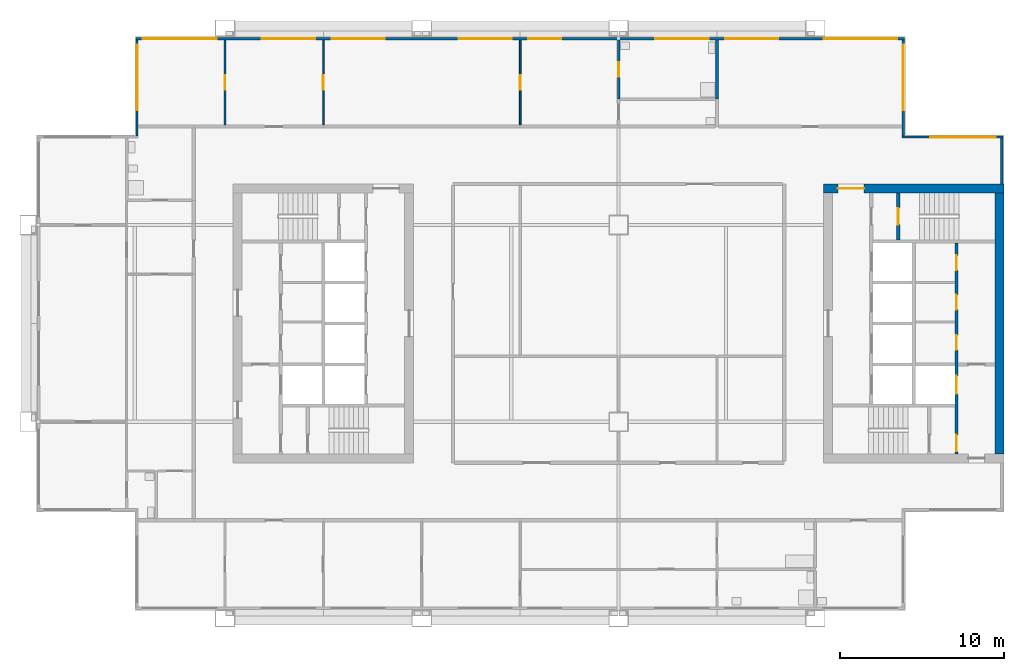
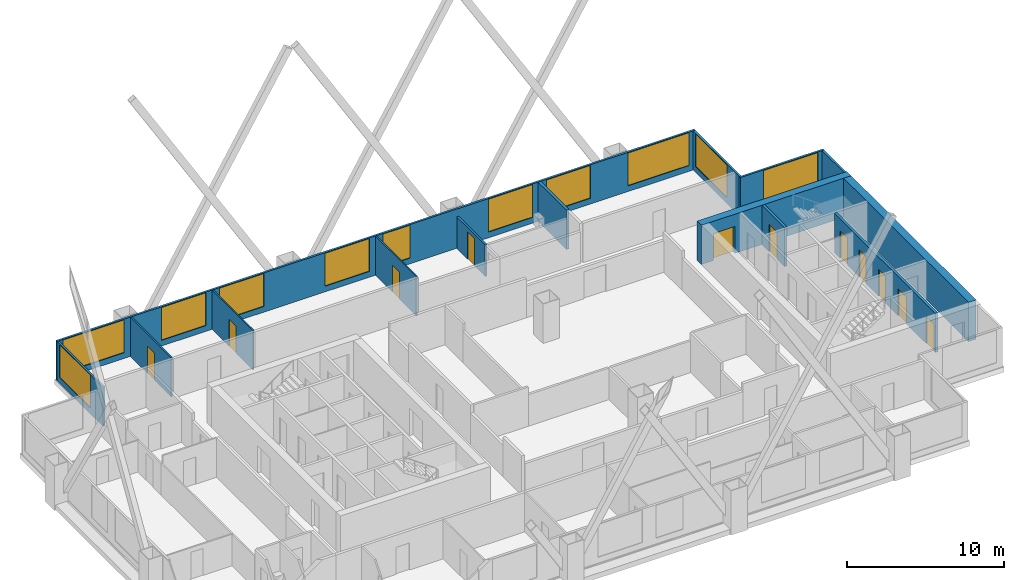
# One storey, part 6 of 9: 14 walls, 11 doors, 11 windows, 22 openings.
"""IFC4 building model written with IfcOpenShell, lengths in metres."""

from ifc_helpers import new_model, si_unit, direction, frame, frame_2d, origin, place, context, subcontext, project, spatial, rectangle, extrude, material, layer, layer_set, type_object, element, fill, save


model = new_model("IFC4")

# Units and contexts
model_context = context("Model", 3, precision=1e-05, world=origin(), true_north=direction((0.0, 1.0)))
body_context = subcontext(model_context, "Body", "Model", "MODEL_VIEW")
ifc_project = project(units=[si_unit("LENGTHUNIT", "METRE"), si_unit("AREAUNIT", "SQUARE_METRE"), si_unit("VOLUMEUNIT", "CUBIC_METRE"), si_unit("PLANEANGLEUNIT", "RADIAN"), si_unit("MASSUNIT", "GRAM", prefix="KILO")], contexts=[model_context])

# Site, building, storey
site_placement = place(None, origin())
site = spatial("IfcSite", under=ifc_project, at=site_placement, CompositionType="ELEMENT")
building_placement = place(site_placement, origin())
building = spatial("IfcBuilding", under=site, at=building_placement, Name="Kitamizu Gate Tower and Museum", CompositionType="ELEMENT")
storey_placement = place(building_placement, frame((0.0, 0.0, 192.75)))
storey = spatial("IfcBuildingStorey", under=building, at=storey_placement, Name="L51", CompositionType="ELEMENT", Elevation=192.75)

# Wall, opening, door
ifc_material_1 = material(Name="Concrete Fc42", Category="concrete")
ifc_layer_1 = layer(ifc_material_1, 0.550048828125)
ifc_layer_set_1 = layer_set([ifc_layer_1], Name="Concrete Fc42")
wall_type_1 = type_object("IfcWallType", Name="Core wall 550", PredefinedType="SHEAR", material=ifc_layer_set_1)
wall_1_placement = place(storey_placement, frame((59.5, 38.22509765625, 0.0), z_axis=(0.0, 0.0, 1.0), x_axis=(-1.0, 0.0, 0.0)))
wall_1 = element("IfcWall", 1, at=wall_1_placement, inside=storey, type_object=wall_type_1, Name="Core wall EN", PredefinedType="SHEAR", context=body_context, shape_type="SweptSolid", body=[
    extrude(rectangle(XDim=11.0, YDim=0.550048828125, at=frame_2d((5.5, 0.0))), origin(), (0.0, 0.0, 1.0), 3.050048828125),
])
opening_1_placement = place(wall_1_placement, frame((8.52490234375, 0.0, 0.0)))
opening_1 = element("IfcOpeningElement", 2, at=opening_1_placement, cuts=wall_1, Name="Opening L51-048", PredefinedType="OPENING", context=body_context, shape_type="SweptSolid", body=[
    extrude(rectangle(XDim=1.60009765625, YDim=2.10009765625, at=frame_2d((0.800048828125, 1.050048828125))), frame((0.0, 0.28515625, 0.0), z_axis=(0.0, -1.0, 0.0), x_axis=(1.0, 0.0, 0.0)), (0.0, 0.0, 1.0), 0.570068359375),
])
ifc_material_2 = material(Name="Timber door set", Category="wood")
door_type_1 = type_object("IfcDoorType", Name="Entrance door 1600", OperationType="DOUBLE_DOOR_SINGLE_SWING", PredefinedType="DOOR", material=ifc_material_2)
door_1_placement = place(opening_1_placement, origin())
door_1 = element("IfcDoor", 3, at=door_1_placement, inside=storey, type_object=door_type_1, Name="Lobby door L51-048", OperationType="DOUBLE_DOOR_SINGLE_SWING", OverallHeight=2.10009765625, OverallWidth=1.60009765625, PredefinedType="DOOR", context=body_context, shape_type="SweptSolid", body=[
    extrude(rectangle(XDim=1.60009765625, YDim=2.10009765625, at=frame_2d((0.800048828125, 1.050048828125))), frame((0.0, 0.02490234375, 0.0), z_axis=(0.0, -1.0, 0.0), x_axis=(1.0, 0.0, 0.0)), (0.0, 0.0, 1.0), 0.050048828125),
])
fill(opening_1, door_1)

# Wall
wall_2_placement = place(storey_placement, frame((59.22509765625, 22.050048828125, 0.0), z_axis=(0.0, 0.0, 1.0), x_axis=(0.0, 1.0, 0.0)))
element("IfcWall", 4, at=wall_2_placement, inside=storey, type_object=wall_type_1, Name="Core wall EOUT", PredefinedType="SHEAR", context=body_context, shape_type="SweptSolid", body=[
    extrude(rectangle(XDim=15.89990234375, YDim=0.550048828125, at=frame_2d((7.949951171875, 0.0))), origin(), (0.0, 0.0, 1.0), 3.050048828125),
])

# Wall, opening, door
ifc_material_3 = material(Name="Gypsum board on galvanised stud")
ifc_layer_2 = layer(ifc_material_3, 0.10009765625)
ifc_layer_set_2 = layer_set([ifc_layer_2], Name="Gypsum board on galvanised stud")
wall_type_2 = type_object("IfcWallType", Name="Partition 100 NOT RATED", PredefinedType="PARTITIONING", material=ifc_layer_set_2)
wall_3_placement = place(storey_placement, frame((12.0, 42.10009765625, 0.0), z_axis=(0.0, 0.0, 1.0), x_axis=(0.0, 1.0, 0.0)))
wall_3 = element("IfcWall", 5, at=wall_3_placement, inside=storey, type_object=wall_type_2, Name="Partition L51-023", PredefinedType="PARTITIONING", context=body_context, shape_type="SweptSolid", body=[
    extrude(rectangle(XDim=5.179931640625, YDim=0.10009765625, at=frame_2d((2.58984375, 0.0))), origin(), (0.0, 0.0, 1.0), 3.050048828125),
])
opening_2_placement = place(wall_3_placement, frame((2.139892578125, 0.0, 0.0)))
opening_2 = element("IfcOpeningElement", 6, at=opening_2_placement, cuts=wall_3, Name="Opening L51-014", PredefinedType="OPENING", context=body_context, shape_type="SweptSolid", body=[
    extrude(rectangle(XDim=0.89990234375, YDim=2.10009765625, at=frame_2d((0.449951171875, 1.050048828125))), frame((0.0, 0.06005859375, 0.0), z_axis=(0.0, -1.0, 0.0), x_axis=(1.0, 0.0, 0.0)), (0.0, 0.0, 1.0), 0.1201171875),
])
ifc_material_4 = material(Name="Timber door set", Category="wood")
door_type_2 = type_object("IfcDoorType", Name="Room door 900", OperationType="NOTDEFINED", PredefinedType="DOOR", material=ifc_material_4)
door_2_placement = place(opening_2_placement, origin())
door_2 = element("IfcDoor", 7, at=door_2_placement, inside=storey, type_object=door_type_2, Name="Door L51-014", OperationType="SINGLE_SWING_LEFT", OverallHeight=2.10009765625, OverallWidth=0.89990234375, PredefinedType="DOOR", context=body_context, shape_type="SweptSolid", body=[
    extrude(rectangle(XDim=0.89990234375, YDim=2.10009765625, at=frame_2d((0.449951171875, 1.050048828125))), frame((0.0, 0.02490234375, 0.0), z_axis=(0.0, -1.0, 0.0), x_axis=(1.0, 0.0, 0.0)), (0.0, 0.0, 1.0), 0.050048828125),
])
fill(opening_2, door_2)

wall_4_placement = place(storey_placement, frame((18.0, 42.10009765625, 0.0), z_axis=(0.0, 0.0, 1.0), x_axis=(0.0, 1.0, 0.0)))
wall_4 = element("IfcWall", 8, at=wall_4_placement, inside=storey, type_object=wall_type_2, Name="Partition L51-026", PredefinedType="PARTITIONING", context=body_context, shape_type="SweptSolid", body=[
    extrude(rectangle(XDim=5.179931640625, YDim=0.10009765625, at=frame_2d((2.58984375, 0.0))), origin(), (0.0, 0.0, 1.0), 3.050048828125),
])
opening_3_placement = place(wall_4_placement, frame((2.139892578125, 0.0, 0.0)))
opening_3 = element("IfcOpeningElement", 9, at=opening_3_placement, cuts=wall_4, Name="Opening L51-011", PredefinedType="OPENING", context=body_context, shape_type="SweptSolid", body=[
    extrude(rectangle(XDim=0.89990234375, YDim=2.10009765625, at=frame_2d((0.449951171875, 1.050048828125))), frame((0.0, 0.06005859375, 0.0), z_axis=(0.0, -1.0, 0.0), x_axis=(1.0, 0.0, 0.0)), (0.0, 0.0, 1.0), 0.1201171875),
])
door_3_placement = place(opening_3_placement, frame((0.89990234375, 0.0, 0.0), x_axis=(-1.0, 0.0, 0.0)))
door_3 = element("IfcDoor", 10, at=door_3_placement, inside=storey, type_object=door_type_2, Name="Door L51-011", OperationType="SINGLE_SWING_LEFT", OverallHeight=2.10009765625, OverallWidth=0.89990234375, PredefinedType="DOOR", context=body_context, shape_type="SweptSolid", body=[
    extrude(rectangle(XDim=0.89990234375, YDim=2.10009765625, at=frame_2d((0.449951171875, 1.050048828125))), frame((0.0, 0.02490234375, 0.0), z_axis=(0.0, -1.0, 0.0), x_axis=(1.0, 0.0, 0.0)), (0.0, 0.0, 1.0), 0.050048828125),
])
fill(opening_3, door_3)

wall_5_placement = place(storey_placement, frame((30.0, 42.10009765625, 0.0), z_axis=(0.0, 0.0, 1.0), x_axis=(0.0, 1.0, 0.0)))
wall_5 = element("IfcWall", 11, at=wall_5_placement, inside=storey, type_object=wall_type_2, Name="Partition L51-028", PredefinedType="PARTITIONING", context=body_context, shape_type="SweptSolid", body=[
    extrude(rectangle(XDim=5.179931640625, YDim=0.10009765625, at=frame_2d((2.58984375, 0.0))), origin(), (0.0, 0.0, 1.0), 3.050048828125),
])
opening_4_placement = place(wall_5_placement, frame((2.139892578125, 0.0, 0.0)))
opening_4 = element("IfcOpeningElement", 12, at=opening_4_placement, cuts=wall_5, Name="Opening L51-012", PredefinedType="OPENING", context=body_context, shape_type="SweptSolid", body=[
    extrude(rectangle(XDim=0.89990234375, YDim=2.10009765625, at=frame_2d((0.449951171875, 1.050048828125))), frame((0.0, 0.06005859375, 0.0), z_axis=(0.0, -1.0, 0.0), x_axis=(1.0, 0.0, 0.0)), (0.0, 0.0, 1.0), 0.1201171875),
])
door_4_placement = place(opening_4_placement, frame((0.89990234375, 0.0, 0.0), x_axis=(-1.0, 0.0, 0.0)))
door_4 = element("IfcDoor", 13, at=door_4_placement, inside=storey, type_object=door_type_2, Name="Door L51-012", OperationType="SINGLE_SWING_RIGHT", OverallHeight=2.10009765625, OverallWidth=0.89990234375, PredefinedType="DOOR", context=body_context, shape_type="SweptSolid", body=[
    extrude(rectangle(XDim=0.89990234375, YDim=2.10009765625, at=frame_2d((0.449951171875, 1.050048828125))), frame((0.0, 0.02490234375, 0.0), z_axis=(0.0, -1.0, 0.0), x_axis=(1.0, 0.0, 0.0)), (0.0, 0.0, 1.0), 0.050048828125),
])
fill(opening_4, door_4)

ifc_material_5 = material(Name="Gypsum board on galvanised stud")
ifc_layer_3 = layer(ifc_material_5, 0.14990234375)
ifc_layer_set_3 = layer_set([ifc_layer_3], Name="Gypsum board on galvanised stud")
wall_type_3 = type_object("IfcWallType", Name="Partition 150", PredefinedType="PARTITIONING", material=ifc_layer_set_3)
wall_6_placement = place(storey_placement, frame((36.0, 43.679931640625, 0.0), z_axis=(0.0, 0.0, 1.0), x_axis=(0.0, 1.0, 0.0)))
wall_6 = element("IfcWall", 14, at=wall_6_placement, inside=storey, type_object=wall_type_3, Name="Partition L51-030", PredefinedType="PARTITIONING", context=body_context, shape_type="SweptSolid", body=[
    extrude(rectangle(XDim=3.60009765625, YDim=0.14990234375, at=frame_2d((1.800048828125, 0.0))), origin(), (0.0, 0.0, 1.0), 2.449951171875),
])
opening_5_placement = place(wall_6_placement, frame((1.35009765625, 0.0, 0.0)))
opening_5 = element("IfcOpeningElement", 15, at=opening_5_placement, cuts=wall_6, Name="Opening L51-013", PredefinedType="OPENING", context=body_context, shape_type="SweptSolid", body=[
    extrude(rectangle(XDim=0.89990234375, YDim=2.10009765625, at=frame_2d((0.449951171875, 1.050048828125))), frame((0.0, 0.0849609375, 0.0), z_axis=(0.0, -1.0, 0.0), x_axis=(1.0, 0.0, 0.0)), (0.0, 0.0, 1.0), 0.169921875),
])
ifc_material_6 = material(Name="Timber door set", Category="wood")
door_type_3 = type_object("IfcDoorType", Name="Bathroom door 900", OperationType="NOTDEFINED", PredefinedType="DOOR", material=ifc_material_6)
door_5_placement = place(opening_5_placement, frame((0.89990234375, 0.0, 0.0), x_axis=(-1.0, 0.0, 0.0)))
door_5 = element("IfcDoor", 16, at=door_5_placement, inside=storey, type_object=door_type_3, Name="Bathroom door L51-013", OperationType="SINGLE_SWING_LEFT", OverallHeight=2.10009765625, OverallWidth=0.89990234375, PredefinedType="DOOR", context=body_context, shape_type="SweptSolid", body=[
    extrude(rectangle(XDim=0.89990234375, YDim=2.10009765625, at=frame_2d((0.449951171875, 1.050048828125))), frame((0.0, 0.02490234375, 0.0), z_axis=(0.0, -1.0, 0.0), x_axis=(1.0, 0.0, 0.0)), (0.0, 0.0, 1.0), 0.050048828125),
])
fill(opening_5, door_5)

# Wall
ifc_material_7 = material(Name="Gypsum board on galvanised stud")
ifc_layer_4 = layer(ifc_material_7, 0.199951171875)
ifc_layer_set_4 = layer_set([ifc_layer_4], Name="Gypsum board on galvanised stud")
wall_type_4 = type_object("IfcWallType", Name="Partition 200", PredefinedType="PARTITIONING", material=ifc_layer_set_4)
wall_7_placement = place(storey_placement, frame((42.0, 43.679931640625, 0.0), z_axis=(0.0, 0.0, 1.0), x_axis=(0.0, 1.0, 0.0)))
element("IfcWall", 17, at=wall_7_placement, inside=storey, type_object=wall_type_4, Name="Partition L51-034", PredefinedType="PARTITIONING", context=body_context, shape_type="SweptSolid", body=[
    extrude(rectangle(XDim=3.60009765625, YDim=0.199951171875, at=frame_2d((1.800048828125, 0.0))), origin(), (0.0, 0.0, 1.0), 3.050048828125),
])

# Wall, openings, doors
ifc_material_8 = material(Name="Concrete Fc42", Category="concrete")
ifc_layer_5 = layer(ifc_material_8, 0.199951171875)
ifc_layer_set_5 = layer_set([ifc_layer_5], Name="Concrete Fc42")
wall_type_5 = type_object("IfcWallType", Name="Shaft wall 200", PredefinedType="SOLIDWALL", material=ifc_layer_set_5)
wall_8_placement = place(storey_placement, frame((56.60009765625, 22.050048828125, 0.0), z_axis=(0.0, 0.0, 1.0), x_axis=(0.0, 1.0, 0.0)))
wall_8 = element("IfcWall", 18, at=wall_8_placement, inside=storey, type_object=wall_type_5, Name="Shaft wall EWEST", PredefinedType="SOLIDWALL", context=body_context, shape_type="SweptSolid", body=[
    extrude(rectangle(XDim=12.849853515625, YDim=0.199951171875, at=frame_2d((6.4248046875, 0.0))), origin(), (0.0, 0.0, 1.0), 3.050048828125),
])
opening_6_placement = place(wall_8_placement, frame((3.64990234375, 0.0, 0.0)))
opening_6 = element("IfcOpeningElement", 19, at=opening_6_placement, cuts=wall_8, Name="Opening LD", PredefinedType="OPENING", context=body_context, shape_type="SweptSolid", body=[
    extrude(rectangle(XDim=1.10009765625, YDim=2.10009765625, at=frame_2d((0.550048828125, 1.050048828125))), frame((0.0, 0.10986328125, 0.0), z_axis=(0.0, -1.0, 0.0), x_axis=(1.0, 0.0, 0.0)), (0.0, 0.0, 1.0), 0.219970703125),
])
opening_7_placement = place(wall_8_placement, frame((0.14990234375, 0.0, 0.0)))
opening_7 = element("IfcOpeningElement", 20, at=opening_7_placement, cuts=wall_8, Name="Opening L51-043", PredefinedType="OPENING", context=body_context, shape_type="SweptSolid", body=[
    extrude(rectangle(XDim=1.0, YDim=2.10009765625, at=frame_2d((0.5, 1.050048828125))), frame((0.0, 0.10986328125, 0.0), z_axis=(0.0, -1.0, 0.0), x_axis=(1.0, 0.0, 0.0)), (0.0, 0.0, 1.0), 0.219970703125),
])
opening_8_placement = place(wall_8_placement, frame((6.341064453125, 0.0, 0.0)))
opening_8 = element("IfcOpeningElement", 21, at=opening_8_placement, cuts=wall_8, Name="Opening L51-050", PredefinedType="OPENING", context=body_context, shape_type="SweptSolid", body=[
    extrude(rectangle(XDim=0.89990234375, YDim=2.10009765625, at=frame_2d((0.449951171875, 1.050048828125))), frame((0.0, 0.10986328125, 0.0), z_axis=(0.0, -1.0, 0.0), x_axis=(1.0, 0.0, 0.0)), (0.0, 0.0, 1.0), 0.219970703125),
])
opening_9_placement = place(wall_8_placement, frame((8.78662109375, 0.0, 0.0)))
opening_9 = element("IfcOpeningElement", 22, at=opening_9_placement, cuts=wall_8, Name="Opening L51-051", PredefinedType="OPENING", context=body_context, shape_type="SweptSolid", body=[
    extrude(rectangle(XDim=0.89990234375, YDim=2.10009765625, at=frame_2d((0.449951171875, 1.050048828125))), frame((0.0, 0.10986328125, 0.0), z_axis=(0.0, -1.0, 0.0), x_axis=(1.0, 0.0, 0.0)), (0.0, 0.0, 1.0), 0.219970703125),
])
opening_10_placement = place(wall_8_placement, frame((11.195556640625, 0.0, 0.0)))
opening_10 = element("IfcOpeningElement", 23, at=opening_10_placement, cuts=wall_8, Name="Opening L51-052", PredefinedType="OPENING", context=body_context, shape_type="SweptSolid", body=[
    extrude(rectangle(XDim=0.89990234375, YDim=2.10009765625, at=frame_2d((0.449951171875, 1.050048828125))), frame((0.0, 0.10986328125, 0.0), z_axis=(0.0, -1.0, 0.0), x_axis=(1.0, 0.0, 0.0)), (0.0, 0.0, 1.0), 0.219970703125),
])
ifc_material_9 = material(Name="Hollow metal door set")
door_type_4 = type_object("IfcDoorType", Name="Fire door 1000", OperationType="NOTDEFINED", PredefinedType="DOOR", material=ifc_material_9)
door_6_placement = place(opening_7_placement, origin())
door_6 = element("IfcDoor", 24, at=door_6_placement, inside=storey, type_object=door_type_4, Name="Stair lobby door L51-043", OperationType="SINGLE_SWING_RIGHT", OverallHeight=2.10009765625, OverallWidth=1.0, PredefinedType="DOOR", context=body_context, shape_type="SweptSolid", body=[
    extrude(rectangle(XDim=1.0, YDim=2.10009765625, at=frame_2d((0.5, 1.050048828125))), frame((0.0, 0.02490234375, 0.0), z_axis=(0.0, -1.0, 0.0), x_axis=(1.0, 0.0, 0.0)), (0.0, 0.0, 1.0), 0.050048828125),
])
fill(opening_7, door_6)
ifc_material_10 = material(Name="Hollow metal door set")
door_type_5 = type_object("IfcDoorType", Name="Landing door 1100", OperationType="SLIDING_TO_LEFT", PredefinedType="DOOR", material=ifc_material_10)
door_7_placement = place(opening_6_placement, origin())
door_7 = element("IfcDoor", 25, at=door_7_placement, inside=storey, type_object=door_type_5, Name="Landing door EFF1", OperationType="SLIDING_TO_LEFT", OverallHeight=2.10009765625, OverallWidth=1.10009765625, PredefinedType="DOOR", context=body_context, shape_type="SweptSolid", body=[
    extrude(rectangle(XDim=1.10009765625, YDim=2.10009765625, at=frame_2d((0.550048828125, 1.050048828125))), frame((0.0, 0.02490234375, 0.0), z_axis=(0.0, -1.0, 0.0), x_axis=(1.0, 0.0, 0.0)), (0.0, 0.0, 1.0), 0.050048828125),
])
fill(opening_6, door_7)
ifc_material_11 = material(Name="Timber door set", Category="wood")
door_type_6 = type_object("IfcDoorType", Name="Service door 900", OperationType="NOTDEFINED", PredefinedType="DOOR", material=ifc_material_11)
door_8_placement = place(opening_8_placement, origin())
door_8 = element("IfcDoor", 26, at=door_8_placement, inside=storey, type_object=door_type_6, Name="Service door L51-050", OperationType="SINGLE_SWING_RIGHT", OverallHeight=2.10009765625, OverallWidth=0.89990234375, PredefinedType="DOOR", context=body_context, shape_type="SweptSolid", body=[
    extrude(rectangle(XDim=0.89990234375, YDim=2.10009765625, at=frame_2d((0.449951171875, 1.050048828125))), frame((0.0, 0.02490234375, 0.0), z_axis=(0.0, -1.0, 0.0), x_axis=(1.0, 0.0, 0.0)), (0.0, 0.0, 1.0), 0.050048828125),
])
fill(opening_8, door_8)
door_9_placement = place(opening_9_placement, origin())
door_9 = element("IfcDoor", 27, at=door_9_placement, inside=storey, type_object=door_type_6, Name="Service door L51-051", OperationType="SINGLE_SWING_LEFT", OverallHeight=2.10009765625, OverallWidth=0.89990234375, PredefinedType="DOOR", context=body_context, shape_type="SweptSolid", body=[
    extrude(rectangle(XDim=0.89990234375, YDim=2.10009765625, at=frame_2d((0.449951171875, 1.050048828125))), frame((0.0, 0.02490234375, 0.0), z_axis=(0.0, -1.0, 0.0), x_axis=(1.0, 0.0, 0.0)), (0.0, 0.0, 1.0), 0.050048828125),
])
fill(opening_9, door_9)
door_10_placement = place(opening_10_placement, origin())
door_10 = element("IfcDoor", 28, at=door_10_placement, inside=storey, type_object=door_type_6, Name="Service door L51-052", OperationType="SINGLE_SWING_RIGHT", OverallHeight=2.10009765625, OverallWidth=0.89990234375, PredefinedType="DOOR", context=body_context, shape_type="SweptSolid", body=[
    extrude(rectangle(XDim=0.89990234375, YDim=2.10009765625, at=frame_2d((0.449951171875, 1.050048828125))), frame((0.0, 0.02490234375, 0.0), z_axis=(0.0, -1.0, 0.0), x_axis=(1.0, 0.0, 0.0)), (0.0, 0.0, 1.0), 0.050048828125),
])
fill(opening_10, door_10)

# Wall, opening, door
wall_9_placement = place(storey_placement, frame((53.050048828125, 35.10009765625, 0.0), z_axis=(0.0, 0.0, 1.0), x_axis=(0.0, 1.0, 0.0)))
wall_9 = element("IfcWall", 29, at=wall_9_placement, inside=storey, type_object=wall_type_5, Name="Shaft wall ENZ", PredefinedType="SOLIDWALL", context=body_context, shape_type="SweptSolid", body=[
    extrude(rectangle(XDim=2.849853515625, YDim=0.199951171875, at=frame_2d((1.4248046875, 0.0))), origin(), (0.0, 0.0, 1.0), 3.050048828125),
])
opening_11_placement = place(wall_9_placement, frame((0.925048828125, 0.0, 0.0)))
opening_11 = element("IfcOpeningElement", 30, at=opening_11_placement, cuts=wall_9, Name="Opening L51-045", PredefinedType="OPENING", context=body_context, shape_type="SweptSolid", body=[
    extrude(rectangle(XDim=1.0, YDim=2.10009765625, at=frame_2d((0.5, 1.050048828125))), frame((0.0, 0.10986328125, 0.0), z_axis=(0.0, -1.0, 0.0), x_axis=(1.0, 0.0, 0.0)), (0.0, 0.0, 1.0), 0.219970703125),
])
door_11_placement = place(opening_11_placement, frame((1.0, 0.0, 0.0), x_axis=(-1.0, 0.0, 0.0)))
door_11 = element("IfcDoor", 31, at=door_11_placement, inside=storey, type_object=door_type_4, Name="Stair door L51-045", OperationType="SINGLE_SWING_RIGHT", OverallHeight=2.10009765625, OverallWidth=1.0, PredefinedType="DOOR", context=body_context, shape_type="SweptSolid", body=[
    extrude(rectangle(XDim=1.0, YDim=2.10009765625, at=frame_2d((0.5, 1.050048828125))), frame((0.0, 0.02490234375, 0.0), z_axis=(0.0, -1.0, 0.0), x_axis=(1.0, 0.0, 0.0)), (0.0, 0.0, 1.0), 0.050048828125),
])
fill(opening_11, door_11)

# Wall
ifc_material_12 = material(Name="Bronze anodised aluminium frame with insulated spandrel and tinted glass", Category="aluminium")
ifc_layer_6 = layer(ifc_material_12, 0.14990234375)
ifc_layer_set_6 = layer_set([ifc_layer_6], Name="Bronze anodised aluminium frame with insulated spandrel and tinted glass")
wall_type_6 = type_object("IfcWallType", Name="WINDOW WALL 150 BRONZE FRAME EI 30", PredefinedType="ELEMENTEDWALL", material=ifc_layer_set_6)
wall_10_placement = place(storey_placement, frame((59.364990234375, 38.5, 0.0), z_axis=(0.0, 0.0, 1.0), x_axis=(0.0, 1.0, 0.0)))
element("IfcWall", 32, at=wall_10_placement, inside=storey, type_object=wall_type_6, Name="Window wall east L51", PredefinedType="ELEMENTEDWALL", context=body_context, shape_type="SweptSolid", body=[
    extrude(rectangle(XDim=2.7900390625, YDim=0.14990234375, at=frame_2d((1.39501953125, 0.0))), origin(), (0.0, 0.0, 1.0), 3.050048828125),
])

# Wall, opening, window
wall_11_placement = place(storey_placement, frame((53.2900390625, 41.364990234375, 0.0), z_axis=(0.0, 0.0, 1.0), x_axis=(1.0, 0.0, 0.0)))
wall_11 = element("IfcWall", 33, at=wall_11_placement, inside=storey, type_object=wall_type_6, Name="Window wall north L51", PredefinedType="ELEMENTEDWALL", context=body_context, shape_type="SweptSolid", body=[
    extrude(rectangle(XDim=6.14990234375, YDim=0.14990234375, at=frame_2d((3.074951171875, 0.0))), origin(), (0.0, 0.0, 1.0), 3.050048828125),
])
opening_12_placement = place(wall_11_placement, frame((1.7099609375, 0.0, 0.449951171875)))
opening_12 = element("IfcOpeningElement", 34, at=opening_12_placement, cuts=wall_11, Name="Opening W16", PredefinedType="OPENING", context=body_context, shape_type="SweptSolid", body=[
    extrude(rectangle(XDim=4.0, YDim=2.550048828125, at=frame_2d((2.0, 1.27490234375))), frame((0.0, 0.0849609375, 0.0), z_axis=(0.0, -1.0, 0.0), x_axis=(1.0, 0.0, 0.0)), (0.0, 0.0, 1.0), 0.169921875),
])
ifc_material_13 = material(Name="Bronze anodised aluminium frame, tinted triple glazing", Category="aluminium")
window_type_1 = type_object("IfcWindowType", Name="WINDOW 4000 x 2550 SILL 450", PartitioningType="SINGLE_PANEL", PredefinedType="WINDOW", material=ifc_material_13)
window_1_placement = place(opening_12_placement, origin())
window_1 = element("IfcWindow", 35, at=window_1_placement, inside=storey, type_object=window_type_1, Name="Window W16 L51", OverallHeight=2.550048828125, OverallWidth=4.0, PartitioningType="SINGLE_PANEL", PredefinedType="WINDOW", context=body_context, shape_type="SweptSolid", body=[
    extrude(rectangle(XDim=4.0, YDim=2.550048828125, at=frame_2d((2.0, 1.27490234375))), frame((0.0, 0.030029296875, 0.0), z_axis=(0.0, -1.0, 0.0), x_axis=(1.0, 0.0, 0.0)), (0.0, 0.0, 1.0), 0.06005859375),
])
fill(opening_12, window_1)

wall_12_placement = place(storey_placement, frame((53.364990234375, 41.43994140625, 0.0), z_axis=(0.0, 0.0, 1.0), x_axis=(0.0, 1.0, 0.0)))
wall_12 = element("IfcWall", 36, at=wall_12_placement, inside=storey, type_object=wall_type_6, Name="Window wall east L51", PredefinedType="ELEMENTEDWALL", context=body_context, shape_type="SweptSolid", body=[
    extrude(rectangle(XDim=5.85009765625, YDim=0.14990234375, at=frame_2d((2.925048828125, 0.0))), origin(), (0.0, 0.0, 1.0), 3.050048828125),
])
opening_13_placement = place(wall_12_placement, frame((1.56005859375, 0.0, 0.449951171875)))
opening_13 = element("IfcOpeningElement", 37, at=opening_13_placement, cuts=wall_12, Name="Opening W16", PredefinedType="OPENING", context=body_context, shape_type="SweptSolid", body=[
    extrude(rectangle(XDim=4.0, YDim=2.550048828125, at=frame_2d((2.0, 1.27490234375))), frame((0.0, 0.0849609375, 0.0), z_axis=(0.0, -1.0, 0.0), x_axis=(1.0, 0.0, 0.0)), (0.0, 0.0, 1.0), 0.169921875),
])
window_2_placement = place(opening_13_placement, origin())
window_2 = element("IfcWindow", 38, at=window_2_placement, inside=storey, type_object=window_type_1, Name="Window W16 L51", OverallHeight=2.550048828125, OverallWidth=4.0, PartitioningType="SINGLE_PANEL", PredefinedType="WINDOW", context=body_context, shape_type="SweptSolid", body=[
    extrude(rectangle(XDim=4.0, YDim=2.550048828125, at=frame_2d((2.0, 1.27490234375))), frame((0.0, 0.030029296875, 0.0), z_axis=(0.0, -1.0, 0.0), x_axis=(1.0, 0.0, 0.0)), (0.0, 0.0, 1.0), 0.06005859375),
])
fill(opening_13, window_2)

# Wall, openings, windows
wall_13_placement = place(storey_placement, frame((6.56005859375, 47.364990234375, 0.0), z_axis=(0.0, 0.0, 1.0), x_axis=(1.0, 0.0, 0.0)))
wall_13 = element("IfcWall", 39, at=wall_13_placement, inside=storey, type_object=wall_type_6, Name="Window wall north L51", PredefinedType="ELEMENTEDWALL", context=body_context, shape_type="SweptSolid", body=[
    extrude(rectangle(XDim=46.8798828125, YDim=0.14990234375, at=frame_2d((23.43994140625, 0.0))), origin(), (0.0, 0.0, 1.0), 3.050048828125),
])
opening_14_placement = place(wall_13_placement, frame((0.43994140625, 0.0, 0.449951171875)))
opening_14 = element("IfcOpeningElement", 40, at=opening_14_placement, cuts=wall_13, Name="Opening W15", PredefinedType="OPENING", context=body_context, shape_type="SweptSolid", body=[
    extrude(rectangle(XDim=4.5, YDim=2.550048828125, at=frame_2d((2.25, 1.27490234375))), frame((0.0, 0.0849609375, 0.0), z_axis=(0.0, -1.0, 0.0), x_axis=(1.0, 0.0, 0.0)), (0.0, 0.0, 1.0), 0.169921875),
])
opening_15_placement = place(wall_13_placement, frame((7.68994140625, 0.0, 0.449951171875)))
opening_15 = element("IfcOpeningElement", 41, at=opening_15_placement, cuts=wall_13, Name="Opening W34", PredefinedType="OPENING", context=body_context, shape_type="SweptSolid", body=[
    extrude(rectangle(XDim=3.25, YDim=2.550048828125, at=frame_2d((1.625, 1.27490234375))), frame((0.0, 0.0849609375, 0.0), z_axis=(0.0, -1.0, 0.0), x_axis=(1.0, 0.0, 0.0)), (0.0, 0.0, 1.0), 0.169921875),
])
opening_16_placement = place(wall_13_placement, frame((11.93994140625, 0.0, 0.449951171875)))
opening_16 = element("IfcOpeningElement", 42, at=opening_16_placement, cuts=wall_13, Name="Opening W34", PredefinedType="OPENING", context=body_context, shape_type="SweptSolid", body=[
    extrude(rectangle(XDim=3.25, YDim=2.550048828125, at=frame_2d((1.625, 1.27490234375))), frame((0.0, 0.0849609375, 0.0), z_axis=(0.0, -1.0, 0.0), x_axis=(1.0, 0.0, 0.0)), (0.0, 0.0, 1.0), 0.169921875),
])
opening_17_placement = place(wall_13_placement, frame((19.68994140625, 0.0, 0.449951171875)))
opening_17 = element("IfcOpeningElement", 43, at=opening_17_placement, cuts=wall_13, Name="Opening W34", PredefinedType="OPENING", context=body_context, shape_type="SweptSolid", body=[
    extrude(rectangle(XDim=3.25, YDim=2.550048828125, at=frame_2d((1.625, 1.27490234375))), frame((0.0, 0.0849609375, 0.0), z_axis=(0.0, -1.0, 0.0), x_axis=(1.0, 0.0, 0.0)), (0.0, 0.0, 1.0), 0.169921875),
])
opening_18_placement = place(wall_13_placement, frame((23.93994140625, 0.0, 0.449951171875)))
opening_18 = element("IfcOpeningElement", 44, at=opening_18_placement, cuts=wall_13, Name="Opening W2", PredefinedType="OPENING", context=body_context, shape_type="SweptSolid", body=[
    extrude(rectangle(XDim=2.0, YDim=2.550048828125, at=frame_2d((1.0, 1.27490234375))), frame((0.0, 0.0849609375, 0.0), z_axis=(0.0, -1.0, 0.0), x_axis=(1.0, 0.0, 0.0)), (0.0, 0.0, 1.0), 0.169921875),
])
opening_19_placement = place(wall_13_placement, frame((31.68994140625, 0.0, 0.449951171875)))
opening_19 = element("IfcOpeningElement", 45, at=opening_19_placement, cuts=wall_13, Name="Opening W34", PredefinedType="OPENING", context=body_context, shape_type="SweptSolid", body=[
    extrude(rectangle(XDim=3.25, YDim=2.550048828125, at=frame_2d((1.625, 1.27490234375))), frame((0.0, 0.0849609375, 0.0), z_axis=(0.0, -1.0, 0.0), x_axis=(1.0, 0.0, 0.0)), (0.0, 0.0, 1.0), 0.169921875),
])
opening_20_placement = place(wall_13_placement, frame((35.93994140625, 0.0, 0.449951171875)))
opening_20 = element("IfcOpeningElement", 46, at=opening_20_placement, cuts=wall_13, Name="Opening W34", PredefinedType="OPENING", context=body_context, shape_type="SweptSolid", body=[
    extrude(rectangle(XDim=3.25, YDim=2.550048828125, at=frame_2d((1.625, 1.27490234375))), frame((0.0, 0.0849609375, 0.0), z_axis=(0.0, -1.0, 0.0), x_axis=(1.0, 0.0, 0.0)), (0.0, 0.0, 1.0), 0.169921875),
])
opening_21_placement = place(wall_13_placement, frame((41.93994140625, 0.0, 0.449951171875)))
opening_21 = element("IfcOpeningElement", 47, at=opening_21_placement, cuts=wall_13, Name="Opening W15", PredefinedType="OPENING", context=body_context, shape_type="SweptSolid", body=[
    extrude(rectangle(XDim=4.5, YDim=2.550048828125, at=frame_2d((2.25, 1.27490234375))), frame((0.0, 0.0849609375, 0.0), z_axis=(0.0, -1.0, 0.0), x_axis=(1.0, 0.0, 0.0)), (0.0, 0.0, 1.0), 0.169921875),
])
ifc_material_14 = material(Name="Bronze anodised aluminium frame, tinted triple glazing", Category="aluminium")
window_type_2 = type_object("IfcWindowType", Name="WINDOW 2000 x 2550 SILL 450", PartitioningType="SINGLE_PANEL", PredefinedType="WINDOW", material=ifc_material_14)
window_3_placement = place(opening_18_placement, origin())
window_3 = element("IfcWindow", 48, at=window_3_placement, inside=storey, type_object=window_type_2, Name="Window W2 L51", OverallHeight=2.550048828125, OverallWidth=2.0, PartitioningType="SINGLE_PANEL", PredefinedType="WINDOW", context=body_context, shape_type="SweptSolid", body=[
    extrude(rectangle(XDim=2.0, YDim=2.550048828125, at=frame_2d((1.0, 1.27490234375))), frame((0.0, 0.030029296875, 0.0), z_axis=(0.0, -1.0, 0.0), x_axis=(1.0, 0.0, 0.0)), (0.0, 0.0, 1.0), 0.06005859375),
])
fill(opening_18, window_3)
ifc_material_15 = material(Name="Bronze anodised aluminium frame, tinted triple glazing", Category="aluminium")
window_type_3 = type_object("IfcWindowType", Name="WINDOW 3250 x 2550 SILL 450", PartitioningType="SINGLE_PANEL", PredefinedType="WINDOW", material=ifc_material_15)
window_4_placement = place(opening_15_placement, origin())
window_4 = element("IfcWindow", 49, at=window_4_placement, inside=storey, type_object=window_type_3, Name="Window W34 L51", OverallHeight=2.550048828125, OverallWidth=3.25, PartitioningType="SINGLE_PANEL", PredefinedType="WINDOW", context=body_context, shape_type="SweptSolid", body=[
    extrude(rectangle(XDim=3.25, YDim=2.550048828125, at=frame_2d((1.625, 1.27490234375))), frame((0.0, 0.030029296875, 0.0), z_axis=(0.0, -1.0, 0.0), x_axis=(1.0, 0.0, 0.0)), (0.0, 0.0, 1.0), 0.06005859375),
])
fill(opening_15, window_4)
window_5_placement = place(opening_16_placement, origin())
window_5 = element("IfcWindow", 50, at=window_5_placement, inside=storey, type_object=window_type_3, Name="Window W34 L51", OverallHeight=2.550048828125, OverallWidth=3.25, PartitioningType="SINGLE_PANEL", PredefinedType="WINDOW", context=body_context, shape_type="SweptSolid", body=[
    extrude(rectangle(XDim=3.25, YDim=2.550048828125, at=frame_2d((1.625, 1.27490234375))), frame((0.0, 0.030029296875, 0.0), z_axis=(0.0, -1.0, 0.0), x_axis=(1.0, 0.0, 0.0)), (0.0, 0.0, 1.0), 0.06005859375),
])
fill(opening_16, window_5)
window_6_placement = place(opening_17_placement, origin())
window_6 = element("IfcWindow", 51, at=window_6_placement, inside=storey, type_object=window_type_3, Name="Window W34 L51", OverallHeight=2.550048828125, OverallWidth=3.25, PartitioningType="SINGLE_PANEL", PredefinedType="WINDOW", context=body_context, shape_type="SweptSolid", body=[
    extrude(rectangle(XDim=3.25, YDim=2.550048828125, at=frame_2d((1.625, 1.27490234375))), frame((0.0, 0.030029296875, 0.0), z_axis=(0.0, -1.0, 0.0), x_axis=(1.0, 0.0, 0.0)), (0.0, 0.0, 1.0), 0.06005859375),
])
fill(opening_17, window_6)
window_7_placement = place(opening_19_placement, origin())
window_7 = element("IfcWindow", 52, at=window_7_placement, inside=storey, type_object=window_type_3, Name="Window W34 L51", OverallHeight=2.550048828125, OverallWidth=3.25, PartitioningType="SINGLE_PANEL", PredefinedType="WINDOW", context=body_context, shape_type="SweptSolid", body=[
    extrude(rectangle(XDim=3.25, YDim=2.550048828125, at=frame_2d((1.625, 1.27490234375))), frame((0.0, 0.030029296875, 0.0), z_axis=(0.0, -1.0, 0.0), x_axis=(1.0, 0.0, 0.0)), (0.0, 0.0, 1.0), 0.06005859375),
])
fill(opening_19, window_7)
window_8_placement = place(opening_20_placement, origin())
window_8 = element("IfcWindow", 53, at=window_8_placement, inside=storey, type_object=window_type_3, Name="Window W34 L51", OverallHeight=2.550048828125, OverallWidth=3.25, PartitioningType="SINGLE_PANEL", PredefinedType="WINDOW", context=body_context, shape_type="SweptSolid", body=[
    extrude(rectangle(XDim=3.25, YDim=2.550048828125, at=frame_2d((1.625, 1.27490234375))), frame((0.0, 0.030029296875, 0.0), z_axis=(0.0, -1.0, 0.0), x_axis=(1.0, 0.0, 0.0)), (0.0, 0.0, 1.0), 0.06005859375),
])
fill(opening_20, window_8)
ifc_material_16 = material(Name="Bronze anodised aluminium frame, tinted triple glazing", Category="aluminium")
window_type_4 = type_object("IfcWindowType", Name="WINDOW 4500 x 2550 SILL 450", PartitioningType="SINGLE_PANEL", PredefinedType="WINDOW", material=ifc_material_16)
window_9_placement = place(opening_14_placement, origin())
window_9 = element("IfcWindow", 54, at=window_9_placement, inside=storey, type_object=window_type_4, Name="Window W15 L51", OverallHeight=2.550048828125, OverallWidth=4.5, PartitioningType="SINGLE_PANEL", PredefinedType="WINDOW", context=body_context, shape_type="SweptSolid", body=[
    extrude(rectangle(XDim=4.5, YDim=2.550048828125, at=frame_2d((2.25, 1.27490234375))), frame((0.0, 0.030029296875, 0.0), z_axis=(0.0, -1.0, 0.0), x_axis=(1.0, 0.0, 0.0)), (0.0, 0.0, 1.0), 0.06005859375),
])
fill(opening_14, window_9)
window_10_placement = place(opening_21_placement, origin())
window_10 = element("IfcWindow", 55, at=window_10_placement, inside=storey, type_object=window_type_4, Name="Window W15 L51", OverallHeight=2.550048828125, OverallWidth=4.5, PartitioningType="SINGLE_PANEL", PredefinedType="WINDOW", context=body_context, shape_type="SweptSolid", body=[
    extrude(rectangle(XDim=4.5, YDim=2.550048828125, at=frame_2d((2.25, 1.27490234375))), frame((0.0, 0.030029296875, 0.0), z_axis=(0.0, -1.0, 0.0), x_axis=(1.0, 0.0, 0.0)), (0.0, 0.0, 1.0), 0.06005859375),
])
fill(opening_21, window_10)

# Wall, opening, window
wall_14_placement = place(storey_placement, frame((6.635009765625, 41.43994140625, 0.0), z_axis=(0.0, 0.0, 1.0), x_axis=(0.0, 1.0, 0.0)))
wall_14 = element("IfcWall", 56, at=wall_14_placement, inside=storey, type_object=wall_type_6, Name="Window wall west L51", PredefinedType="ELEMENTEDWALL", context=body_context, shape_type="SweptSolid", body=[
    extrude(rectangle(XDim=5.85009765625, YDim=0.14990234375, at=frame_2d((2.925048828125, 0.0))), origin(), (0.0, 0.0, 1.0), 3.050048828125),
])
opening_22_placement = place(wall_14_placement, frame((1.56005859375, 0.0, 0.449951171875)))
opening_22 = element("IfcOpeningElement", 57, at=opening_22_placement, cuts=wall_14, Name="Opening W16", PredefinedType="OPENING", context=body_context, shape_type="SweptSolid", body=[
    extrude(rectangle(XDim=4.0, YDim=2.550048828125, at=frame_2d((2.0, 1.27490234375))), frame((0.0, 0.0849609375, 0.0), z_axis=(0.0, -1.0, 0.0), x_axis=(1.0, 0.0, 0.0)), (0.0, 0.0, 1.0), 0.169921875),
])
window_11_placement = place(opening_22_placement, origin())
window_11 = element("IfcWindow", 58, at=window_11_placement, inside=storey, type_object=window_type_1, Name="Window W16 L51", OverallHeight=2.550048828125, OverallWidth=4.0, PartitioningType="SINGLE_PANEL", PredefinedType="WINDOW", context=body_context, shape_type="SweptSolid", body=[
    extrude(rectangle(XDim=4.0, YDim=2.550048828125, at=frame_2d((2.0, 1.27490234375))), frame((0.0, 0.030029296875, 0.0), z_axis=(0.0, -1.0, 0.0), x_axis=(1.0, 0.0, 0.0)), (0.0, 0.0, 1.0), 0.06005859375),
])
fill(opening_22, window_11)

save(model, "model.ifc")
